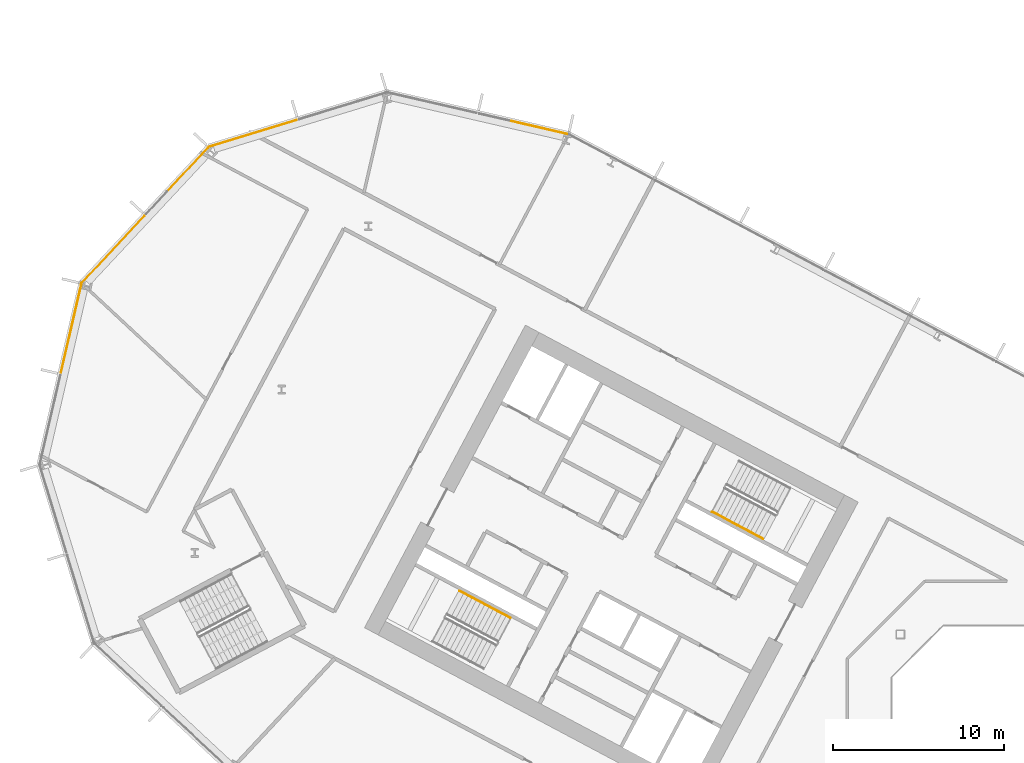
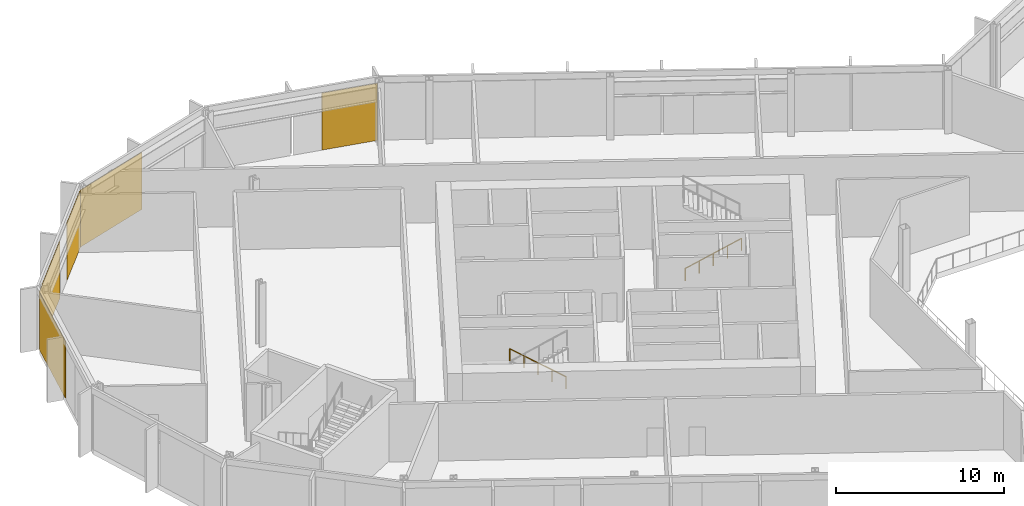
# One storey, part 25 of 32: 5 coverings, 2 railings, 4 elements without a shape of their own.
"""IFC4 building model written with IfcOpenShell, lengths in metres."""

from ifc_helpers import new_model, si_unit, direction, frame, origin, origin_2d, place, context, subcontext, project, spatial, polyline, rectangle, outline, extrude, material, layer, layer_set, type_object, element, aggregate, save


model = new_model("IFC4")

# Units and contexts
model_context = context("Model", 3, precision=1e-05, world=origin(), true_north=direction((0.0, 1.0)))
body_context = subcontext(model_context, "Body", "Model", "MODEL_VIEW")
ifc_project = project(units=[si_unit("LENGTHUNIT", "METRE"), si_unit("AREAUNIT", "SQUARE_METRE"), si_unit("VOLUMEUNIT", "CUBIC_METRE"), si_unit("PLANEANGLEUNIT", "RADIAN"), si_unit("MASSUNIT", "GRAM", prefix="KILO")], contexts=[model_context])

# Site, building, storey
site_placement = place(None, origin())
site = spatial("IfcSite", under=ifc_project, at=site_placement, CompositionType="ELEMENT")
building_placement = place(site_placement, origin())
building = spatial("IfcBuilding", under=site, at=building_placement, Name="Cormorant Relay Tower", CompositionType="ELEMENT")
storey_placement = place(building_placement, frame((0.0, 0.0, 75.39990234375)))
storey = spatial("IfcBuildingStorey", under=building, at=storey_placement, Name="L14", CompositionType="ELEMENT", Elevation=75.39990234375)

# Curtain wall, covering
ifc_material_1 = material(Name="Aluminium 6063-T6 anodised bronze", Category="aluminium")
ifc_layer_1 = layer(ifc_material_1, 0.199951171875)
ifc_layer_set_1 = layer_set([ifc_layer_1], Name="CW1 unitised bronze curtain wall with vertical fins")
curtain_wall_type = type_object("IfcCurtainWallType", Name="CW1 unitised bronze curtain wall with vertical fins", PredefinedType="NOTDEFINED", material=ifc_layer_set_1)
curtain_wall_1_placement = place(storey_placement, origin())
curtain_wall_1 = element("IfcCurtainWall", 1, at=curtain_wall_1_placement, inside=storey, type_object=curtain_wall_type, Name="CW1 curtain wall 8", PredefinedType="NOTDEFINED")
ifc_material_2 = material(Name="Pale bronze anodised aluminium insulated panel", Category="aluminium")
ifc_layer_2 = layer(ifc_material_2, 0.0400390625)
ifc_layer_set_2 = layer_set([ifc_layer_2], Name="CW1 pale bronze insulated panel 40")
covering_type = type_object("IfcCoveringType", Name="CW1 pale bronze insulated panel 40", PredefinedType="CLADDING", material=ifc_layer_set_2)
covering_1_placement = place(storey_placement, frame((-31.640380859375, 40.096435546875, 0.000244140625), z_axis=(0.0, 0.0, 1.0), x_axis=(-0.974370064785, 0.224951054344, 0.0)))
covering_1 = element("IfcCovering", 2, at=covering_1_placement, type_object=covering_type, Name="CW1 panel S00", PredefinedType="CLADDING", context=body_context, shape_type="SweptSolid", body=[
    extrude(rectangle(XDim=3.485107421875, YDim=0.0400390625, at=origin_2d()), origin(), (0.0, 0.0, 1.0), 4.14990234375),
])
aggregate(curtain_wall_1, [covering_1])

curtain_wall_2_placement = place(storey_placement, origin())
curtain_wall_2 = element("IfcCurtainWall", 3, at=curtain_wall_2_placement, inside=storey, type_object=curtain_wall_type, Name="CW1 curtain wall 9", PredefinedType="NOTDEFINED")
covering_2_placement = place(storey_placement, frame((-48.3037109375, 39.73779296875, 0.000244140625), z_axis=(0.0, 0.0, 1.0), x_axis=(-0.956304755963, -0.292371704723, 0.0)))
covering_2 = element("IfcCovering", 4, at=covering_2_placement, type_object=covering_type, Name="CW1 panel S02", PredefinedType="CLADDING", context=body_context, shape_type="SweptSolid", body=[
    extrude(rectangle(XDim=5.360107421875, YDim=0.0400390625, at=origin_2d()), origin(), (0.0, 0.0, 1.0), 4.14990234375),
])
aggregate(curtain_wall_2, [covering_2])

# Curtain wall, coverings
curtain_wall_3_placement = place(storey_placement, origin())
curtain_wall_3 = element("IfcCurtainWall", 5, at=curtain_wall_3_placement, inside=storey, type_object=curtain_wall_type, Name="CW1 curtain wall 10", PredefinedType="NOTDEFINED")
covering_3_placement = place(storey_placement, frame((-52.115234375, 37.61962890625, 0.000244140625), z_axis=(0.0, 0.0, 1.0), x_axis=(-0.681998360062, -0.731353701619, 0.0)))
covering_3 = element("IfcCovering", 6, at=covering_3_placement, type_object=covering_type, Name="CW1 panel S00", PredefinedType="CLADDING", context=body_context, shape_type="SweptSolid", body=[
    extrude(rectangle(XDim=3.485107421875, YDim=0.0400390625, at=origin_2d()), origin(), (0.0, 0.0, 1.0), 4.14990234375),
])
covering_4_placement = place(storey_placement, frame((-56.461181640625, 32.958984375, 0.000244140625), z_axis=(0.0, 0.0, 1.0), x_axis=(-0.681998360062, -0.731353701619, 0.0)))
covering_4 = element("IfcCovering", 7, at=covering_4_placement, type_object=covering_type, Name="CW1 panel S02", PredefinedType="CLADDING", context=body_context, shape_type="SweptSolid", body=[
    extrude(rectangle(XDim=5.360107421875, YDim=0.0400390625, at=origin_2d()), origin(), (0.0, 0.0, 1.0), 4.14990234375),
])
aggregate(curtain_wall_3, [covering_3, covering_4])

# Curtain wall, covering
curtain_wall_4_placement = place(storey_placement, origin())
curtain_wall_4 = element("IfcCurtainWall", 8, at=curtain_wall_4_placement, inside=storey, type_object=curtain_wall_type, Name="CW1 curtain wall 11", PredefinedType="NOTDEFINED")
covering_5_placement = place(storey_placement, frame((-58.905517578125, 28.341796875, 0.000244140625), z_axis=(0.0, 0.0, 1.0), x_axis=(-0.224951054344, -0.974370064785, 0.0)))
covering_5 = element("IfcCovering", 9, at=covering_5_placement, type_object=covering_type, Name="CW1 panel S00", PredefinedType="CLADDING", context=body_context, shape_type="SweptSolid", body=[
    extrude(rectangle(XDim=5.28515625, YDim=0.0400390625, at=origin_2d()), origin(), (0.0, 0.0, 1.0), 4.14990234375),
])
aggregate(curtain_wall_4, [covering_5])

# Railings
ifc_material_3 = material(Name="Steel ASTM A572 Grade 50 (Fy 345 MPa)", Category="steel")
railing_type = type_object("IfcRailingType", Name="Stair handrail 900", PredefinedType="HANDRAIL", material=ifc_material_3)
railing_1_placement = place(storey_placement, frame((-21.478271484375, 17.6494140625, 0.177001953125)))
element("IfcRailing", 10, at=railing_1_placement, inside=storey, type_object=railing_type, Name="L14 A1 stair handrail 1", PredefinedType="HANDRAIL", context=body_context, shape_type="SweptSolid", body=[
    extrude(outline(polyline([(0.022216796875, 0.00927734375), (0.00927734375, 0.022216796875), (-0.00927734375, 0.022216796875), (-0.022216796875, 0.00927734375), (-0.022216796875, -0.00927734375), (-0.00927734375, -0.022216796875), (0.00927734375, -0.022216796875), (0.022216796875, -0.00927734375), (0.022216796875, 0.00927734375)])), frame((0.0, 0.0, 0.8759765625), z_axis=(0.746422470992, -0.396920836698, 0.534141689248), x_axis=(0.469509342547, 0.882927503967, 0.0)), (0.0, 0.0, 1.0), 3.974609375),
    extrude(outline(polyline([(0.019287109375, 0.008056640625), (0.008056640625, 0.019287109375), (-0.008056640625, 0.019287109375), (-0.019287109375, 0.008056640625), (-0.019287109375, -0.008056640625), (-0.008056640625, -0.019287109375), (0.008056640625, -0.019287109375), (0.019287109375, -0.008056640625), (0.019287109375, 0.008056640625)])), origin(), (0.0, 0.0, 1.0), 0.851806640625),
    extrude(outline(polyline([(0.019287109375, 0.008056640625), (0.008056640625, 0.019287109375), (-0.008056640625, 0.019287109375), (-0.019287109375, 0.008056640625), (-0.019287109375, -0.008056640625), (-0.008056640625, -0.019287109375), (0.008056640625, -0.019287109375), (0.019287109375, -0.008056640625), (0.019287109375, 0.008056640625)])), frame((0.74169921875, -0.39453125, 0.53076171875)), (0.0, 0.0, 1.0), 0.851806640625),
    extrude(outline(polyline([(0.019287109375, 0.008056640625), (0.008056640625, 0.019287109375), (-0.008056640625, 0.019287109375), (-0.019287109375, 0.008056640625), (-0.019287109375, -0.008056640625), (-0.008056640625, -0.019287109375), (0.008056640625, -0.019287109375), (0.019287109375, -0.008056640625), (0.019287109375, 0.008056640625)])), frame((1.4833984375, -0.788818359375, 1.0615234375)), (0.0, 0.0, 1.0), 0.851806640625),
    extrude(outline(polyline([(0.019287109375, 0.008056640625), (0.008056640625, 0.019287109375), (-0.008056640625, 0.019287109375), (-0.019287109375, 0.008056640625), (-0.019287109375, -0.008056640625), (-0.008056640625, -0.019287109375), (0.008056640625, -0.019287109375), (0.019287109375, -0.008056640625), (0.019287109375, 0.008056640625)])), frame((2.22509765625, -1.18310546875, 1.59228515625)), (0.0, 0.0, 1.0), 0.851806640625),
    extrude(outline(polyline([(0.019287109375, 0.008056640625), (0.008056640625, 0.019287109375), (-0.008056640625, 0.019287109375), (-0.019287109375, 0.008056640625), (-0.019287109375, -0.008056640625), (-0.008056640625, -0.019287109375), (0.008056640625, -0.019287109375), (0.019287109375, -0.008056640625), (0.019287109375, 0.008056640625)])), frame((2.966796875, -1.57763671875, 2.123046875)), (0.0, 0.0, 1.0), 0.851806640625),
])
railing_2_placement = place(storey_placement, frame((-33.264404296875, 11.4580078125, 0.177001953125)))
element("IfcRailing", 11, at=railing_2_placement, inside=storey, type_object=railing_type, Name="L14 A2 stair handrail 1", PredefinedType="HANDRAIL", context=body_context, shape_type="SweptSolid", body=[
    extrude(outline(polyline([(0.022216796875, 0.00927734375), (0.00927734375, 0.022216796875), (-0.00927734375, 0.022216796875), (-0.022216796875, 0.00927734375), (-0.022216796875, -0.00927734375), (-0.00927734375, -0.022216796875), (0.00927734375, -0.022216796875), (0.022216796875, -0.00927734375), (0.022216796875, 0.00927734375)])), frame((0.0, 0.0, 0.8759765625), z_axis=(-0.746440668329, 0.396869088057, 0.534154711306), x_axis=(-0.46945269911, -0.882957622595, 0.0)), (0.0, 0.0, 1.0), 3.974609375),
    extrude(outline(polyline([(0.019287109375, 0.008056640625), (0.008056640625, 0.019287109375), (-0.008056640625, 0.019287109375), (-0.019287109375, 0.008056640625), (-0.019287109375, -0.008056640625), (-0.008056640625, -0.019287109375), (0.008056640625, -0.019287109375), (0.019287109375, -0.008056640625), (0.019287109375, 0.008056640625)])), origin(), (0.0, 0.0, 1.0), 0.851806640625),
    extrude(outline(polyline([(0.019287109375, 0.008056640625), (0.008056640625, 0.019287109375), (-0.008056640625, 0.019287109375), (-0.019287109375, 0.008056640625), (-0.019287109375, -0.008056640625), (-0.008056640625, -0.019287109375), (0.008056640625, -0.019287109375), (0.019287109375, -0.008056640625), (0.019287109375, 0.008056640625)])), frame((-0.74169921875, 0.394287109375, 0.53076171875)), (0.0, 0.0, 1.0), 0.851806640625),
    extrude(outline(polyline([(0.019287109375, 0.008056640625), (0.008056640625, 0.019287109375), (-0.008056640625, 0.019287109375), (-0.019287109375, 0.008056640625), (-0.019287109375, -0.008056640625), (-0.008056640625, -0.019287109375), (0.008056640625, -0.019287109375), (0.019287109375, -0.008056640625), (0.019287109375, 0.008056640625)])), frame((-1.4833984375, 0.78857421875, 1.0615234375)), (0.0, 0.0, 1.0), 0.851806640625),
    extrude(outline(polyline([(0.019287109375, 0.008056640625), (0.008056640625, 0.019287109375), (-0.008056640625, 0.019287109375), (-0.019287109375, 0.008056640625), (-0.019287109375, -0.008056640625), (-0.008056640625, -0.019287109375), (0.008056640625, -0.019287109375), (0.019287109375, -0.008056640625), (0.019287109375, 0.008056640625)])), frame((-2.22509765625, 1.18310546875, 1.59228515625)), (0.0, 0.0, 1.0), 0.851806640625),
    extrude(outline(polyline([(0.019287109375, 0.008056640625), (0.008056640625, 0.019287109375), (-0.008056640625, 0.019287109375), (-0.019287109375, 0.008056640625), (-0.019287109375, -0.008056640625), (-0.008056640625, -0.019287109375), (0.008056640625, -0.019287109375), (0.019287109375, -0.008056640625), (0.019287109375, 0.008056640625)])), frame((-2.966796875, 1.577392578125, 2.123046875)), (0.0, 0.0, 1.0), 0.851806640625),
])

save(model, "model.ifc")
